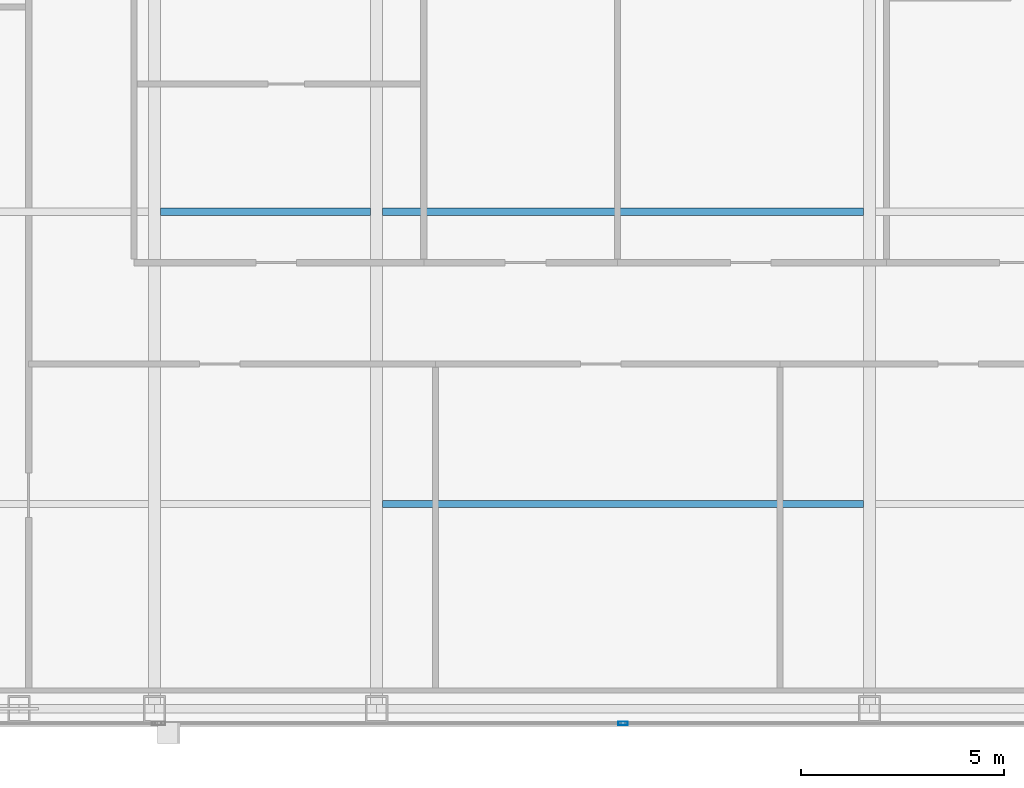
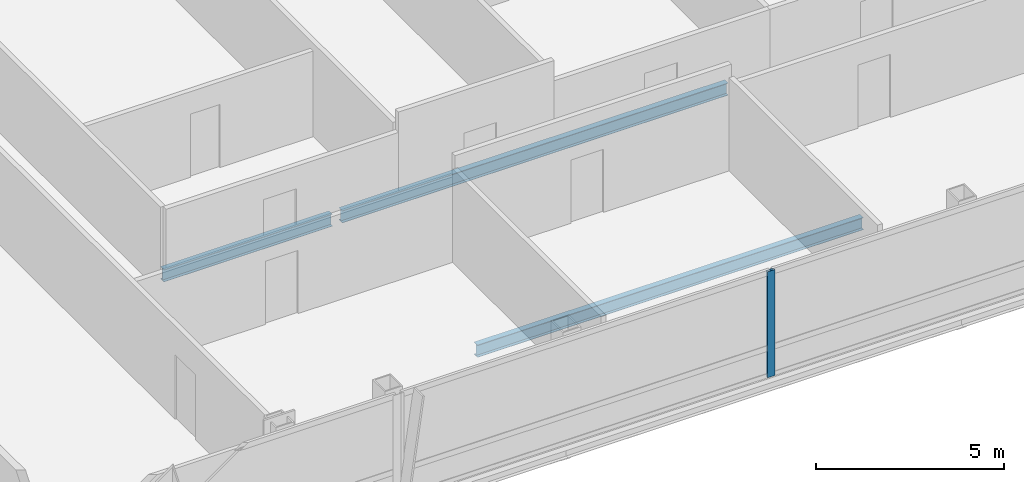
# One storey, part 7 of 25: 3 beams, 1 member, 1 element without a shape of its own.
"""IFC4 building model written with IfcOpenShell, lengths in metres."""

from ifc_helpers import new_model, si_unit, direction, frame, origin, origin_2d, place, context, subcontext, project, spatial, hollow_rectangle, i_section, extrude, material, material_profile, profile_set, type_object, element, aggregate, save


model = new_model("IFC4")

# Units and contexts
model_context = context("Model", 3, precision=1e-05, world=origin(), true_north=direction((0.0, 1.0)))
body_context = subcontext(model_context, "Body", "Model", "MODEL_VIEW")
ifc_project = project(units=[si_unit("LENGTHUNIT", "METRE"), si_unit("AREAUNIT", "SQUARE_METRE"), si_unit("VOLUMEUNIT", "CUBIC_METRE"), si_unit("PLANEANGLEUNIT", "RADIAN"), si_unit("MASSUNIT", "GRAM", prefix="KILO")], contexts=[model_context])

# Site, building, storey
site_placement = place(None, origin())
site = spatial("IfcSite", under=ifc_project, at=site_placement, CompositionType="ELEMENT")
building_placement = place(site_placement, origin())
building = spatial("IfcBuilding", under=site, at=building_placement, Name="Khoronbel Lancet Exchange", CompositionType="ELEMENT")
storey_placement = place(building_placement, frame((0.0, 0.0, 298.60009765625)))
storey = spatial("IfcBuildingStorey", under=building, at=storey_placement, Name="L77", CompositionType="ELEMENT", Elevation=298.60009765625)

# Beams
ifc_material_1 = material(Name="Steel S355", Category="steel")
ifc_material_profile_1 = material_profile(ifc_material_1, i_section(OverallWidth=0.179931640625, OverallDepth=0.39990234375, WebThickness=0.008544921875, FlangeThickness=0.013427734375, at=origin_2d()), Name="IPE 400")
ifc_profile_set_1 = profile_set([ifc_material_profile_1], Name="Steel S355")
beam_type = type_object("IfcBeamType", Name="BM-BJ5", PredefinedType="JOIST", material=ifc_profile_set_1)
beam_1_placement = place(storey_placement, frame((30.52490234375, 15.199951171875, -0.360107421875), z_axis=(1.0, 0.0, 0.0), x_axis=(0.0, 1.0, 0.0)))
element("IfcBeam", 1, at=beam_1_placement, inside=storey, type_object=beam_type, Name="Level L77 secondary composite joist J03", PredefinedType="JOIST", context=body_context, shape_type="SweptSolid", body=[
    extrude(i_section(OverallWidth=0.179931640625, OverallDepth=0.39990234375, WebThickness=0.008544921875, FlangeThickness=0.013427734375, at=origin_2d()), origin(), (0.0, 0.0, 1.0), 11.85009765625),
])
beam_2_placement = place(storey_placement, frame((25.050048828125, 22.39990234375, -0.360107421875), z_axis=(1.0, 0.0, 0.0), x_axis=(0.0, 1.0, 0.0)))
element("IfcBeam", 2, at=beam_2_placement, inside=storey, type_object=beam_type, Name="Level L77 secondary composite joist J07", PredefinedType="JOIST", context=body_context, shape_type="SweptSolid", body=[
    extrude(i_section(OverallWidth=0.179931640625, OverallDepth=0.39990234375, WebThickness=0.008544921875, FlangeThickness=0.013427734375, at=origin_2d()), origin(), (0.0, 0.0, 1.0), 5.175048828125),
])
beam_3_placement = place(storey_placement, frame((30.52490234375, 22.39990234375, -0.360107421875), z_axis=(1.0, 0.0, 0.0), x_axis=(0.0, 1.0, 0.0)))
element("IfcBeam", 3, at=beam_3_placement, inside=storey, type_object=beam_type, Name="Level L77 secondary composite joist J08", PredefinedType="JOIST", context=body_context, shape_type="SweptSolid", body=[
    extrude(i_section(OverallWidth=0.179931640625, OverallDepth=0.39990234375, WebThickness=0.008544921875, FlangeThickness=0.013427734375, at=origin_2d()), origin(), (0.0, 0.0, 1.0), 11.85009765625),
])

# Curtain wall, member
ifc_material_2 = material(Name="Low-E Solar Control Insulating Glass", Category="glass")
curtain_wall_type = type_object("IfcCurtainWallType", Name="CW-3", PredefinedType="NOTDEFINED", material=ifc_material_2)
curtain_wall_placement = place(storey_placement, origin())
curtain_wall = element("IfcCurtainWall", 4, at=curtain_wall_placement, inside=storey, type_object=curtain_wall_type, Name="Unitised curtain wall CW-L77-SCV", PredefinedType="NOTDEFINED")
ifc_material_3 = material(Name="Bronze-Anodised Aluminium 6063-T6", Category="aluminium")
ifc_material_profile_2 = material_profile(ifc_material_3, hollow_rectangle(XDim=0.0849609375, YDim=0.239990234375, WallThickness=0.006103515625, at=origin_2d()), Name="ALU MULLION 85x240")
ifc_profile_set_2 = profile_set([ifc_material_profile_2], Name="Bronze-Anodised Aluminium 6063-T6")
member_type = type_object("IfcMemberType", Name="MEM-CWM1", PredefinedType="MULLION", material=ifc_profile_set_2)
member_placement = place(storey_placement, frame((36.449951171875, 9.7900390625, 0.0), z_axis=(0.0, 0.0, 1.0), x_axis=(0.0, 1.0, 0.0)))
member = element("IfcMember", 5, at=member_placement, type_object=member_type, Name="CW3 mullion 2", PredefinedType="MULLION", context=body_context, shape_type="SweptSolid", body=[
    extrude(hollow_rectangle(XDim=0.0849609375, YDim=0.239990234375, WallThickness=0.006103515625, at=origin_2d()), origin(), (0.0, 0.0, 1.0), 3.43994140625),
])
aggregate(curtain_wall, [member])

save(model, "model.ifc")
